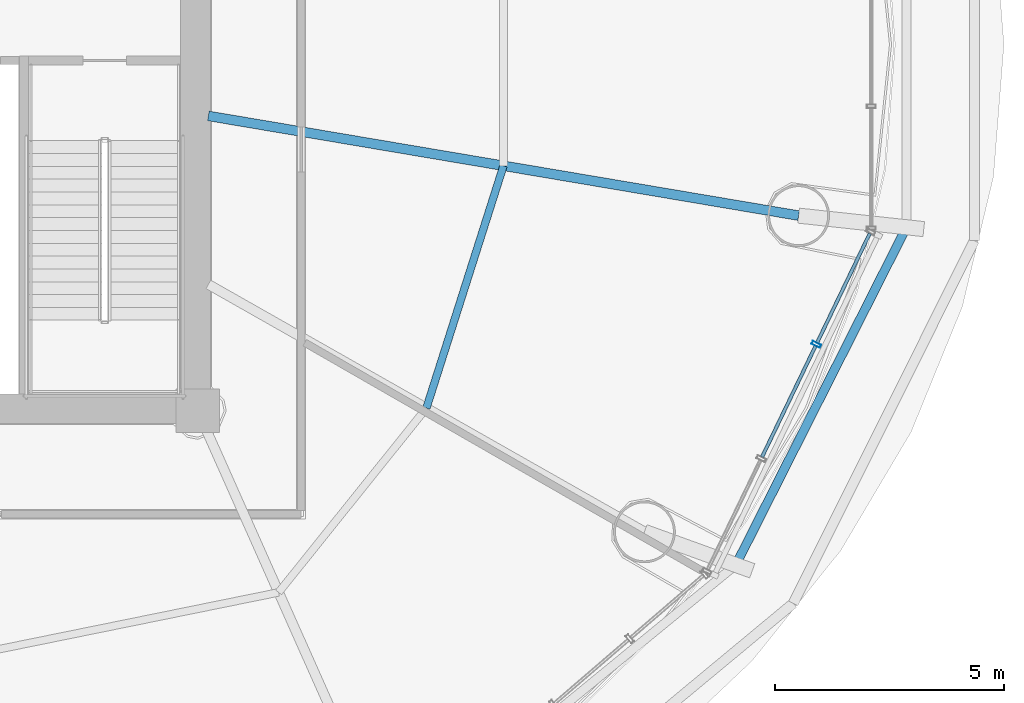
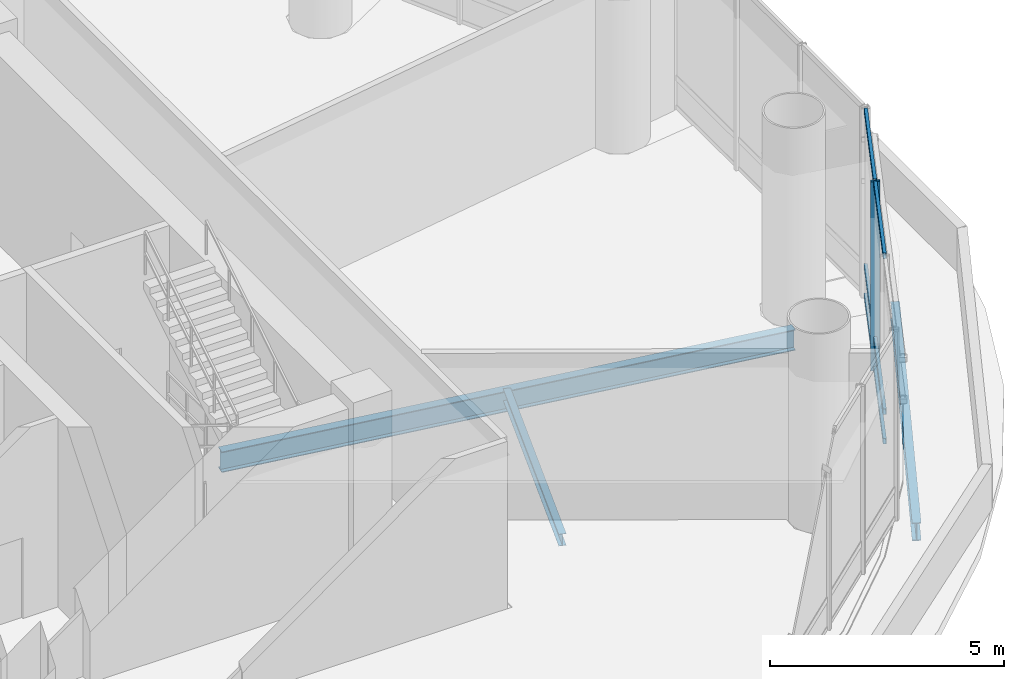
# One storey, part 11 of 29: 7 members, 3 beams, 1 element without a shape of its own.
"""IFC4 building model written with IfcOpenShell, lengths in metres."""

from ifc_helpers import new_model, si_unit, direction, frame, origin, origin_2d, place, context, subcontext, project, spatial, hollow_rectangle, i_section, extrude, source, transform, mapped, material, material_profile, profile_set, type_object, element, aggregate, save


model = new_model("IFC4")

# Units and contexts
model_context = context("Model", 3, precision=1e-05, world=origin(), true_north=direction((-0.2419218956, 0.970295726276)))
body_context = subcontext(model_context, "Body", "Model", "MODEL_VIEW")
ifc_project = project(units=[si_unit("LENGTHUNIT", "METRE"), si_unit("AREAUNIT", "SQUARE_METRE"), si_unit("VOLUMEUNIT", "CUBIC_METRE"), si_unit("PLANEANGLEUNIT", "RADIAN"), si_unit("MASSUNIT", "GRAM", prefix="KILO")], contexts=[model_context])

# Site, building, storey
site_placement = place(None, origin())
site = spatial("IfcSite", under=ifc_project, at=site_placement, CompositionType="ELEMENT")
building_placement = place(site_placement, origin())
building = spatial("IfcBuilding", under=site, at=building_placement, Name="Cobrevalo Terracotta Tower", CompositionType="ELEMENT")
storey_placement = place(building_placement, frame((0.0, 0.0, 130.199951171875)))
storey = spatial("IfcBuildingStorey", under=building, at=storey_placement, Name="L34", CompositionType="ELEMENT", Elevation=130.199951171875)

# Beams
ifc_material_1 = material(Name="Steel S355", Category="steel")
ifc_material_profile_1 = material_profile(ifc_material_1, i_section(OverallWidth=0.2109375, OverallDepth=0.5390625, WebThickness=0.01171875, FlangeThickness=0.018798828125, at=origin_2d()), Name="W 530x109")
ifc_profile_set_1 = profile_set([ifc_material_profile_1], Name="Steel S355")
beam_type_1 = type_object("IfcBeamType", Name="Structural Beam W 530x109 (Steel S355)", PredefinedType="BEAM", material=ifc_profile_set_1)
beam_1_placement = place(storey_placement, frame((60.11669921875, 23.06396484375, -0.719482421875), z_axis=(-0.986029024106, 0.166573598211, 0.0), x_axis=(-0.166573598211, -0.986029024106, 0.0)))
element("IfcBeam", 1, at=beam_1_placement, inside=storey, type_object=beam_type_1, Name="L34 radial floor girder 16", PredefinedType="BEAM", context=body_context, shape_type="SweptSolid", body=[
    extrude(i_section(OverallWidth=0.2109375, OverallDepth=0.5390625, WebThickness=0.01171875, FlangeThickness=0.018798828125, at=origin_2d()), origin(), (0.0, 0.0, 1.0), 13.0693359375),
])
ifc_material_profile_2 = material_profile(ifc_material_1, i_section(OverallWidth=0.1650390625, OverallDepth=0.31005859375, WebThickness=0.005859375, FlangeThickness=0.009765625, at=origin_2d()), Name="W 310x38.7")
ifc_profile_set_2 = profile_set([ifc_material_profile_2], Name="Steel S355")
beam_type_2 = type_object("IfcBeamType", Name="Structural Joist W 310x38.7 (Steel S355)", PredefinedType="JOIST", material=ifc_profile_set_2)
beam_2_placement = place(storey_placement, frame((51.98974609375, 18.86181640625, -0.60498046875), z_axis=(0.303243588226, 0.95291307379, 0.0), x_axis=(-0.95291307379, 0.303243588226, 0.0)))
element("IfcBeam", 2, at=beam_2_placement, inside=storey, type_object=beam_type_2, Name="L34 circumferential secondary floor joist 15", PredefinedType="JOIST", context=body_context, shape_type="SweptSolid", body=[
    extrude(i_section(OverallWidth=0.1650390625, OverallDepth=0.31005859375, WebThickness=0.005859375, FlangeThickness=0.009765625, at=origin_2d()), origin(), (0.0, 0.0, 1.0), 5.552001953125),
])
ifc_material_profile_3 = material_profile(ifc_material_1, i_section(OverallWidth=0.194091796875, OverallDepth=0.468994140625, WebThickness=0.011474609375, FlangeThickness=0.0205078125, at=origin_2d()), Name="W 460x106")
ifc_profile_set_3 = profile_set([ifc_material_profile_3], Name="Steel S355")
beam_type_3 = type_object("IfcBeamType", Name="Structural Spandrel W 460x106 (Steel S355)", PredefinedType="SPANDREL", material=ifc_profile_set_3)
beam_3_placement = place(storey_placement, frame((58.7451171875, 15.4384765625, -0.6845703125), z_axis=(0.451051982172, 0.892497680321, 0.0), x_axis=(-0.892497680321, 0.451051982172, 0.0)))
element("IfcBeam", 3, at=beam_3_placement, inside=storey, type_object=beam_type_3, Name="L34 perimeter ring spandrel 15", PredefinedType="SPANDREL", context=body_context, shape_type="SweptSolid", body=[
    extrude(i_section(OverallWidth=0.194091796875, OverallDepth=0.468994140625, WebThickness=0.011474609375, FlangeThickness=0.0205078125, at=origin_2d()), origin(), (0.0, 0.0, 1.0), 8.259765625),
])

# Curtain wall, members
ifc_material_2 = material(Name="Anodized aluminium", Category="aluminium")
curtain_wall_type = type_object("IfcCurtainWallType", Name="Double-height sky-lobby panoramic curtain wall CW-SK", PredefinedType="NOTDEFINED", material=ifc_material_2)
curtain_wall_placement = place(storey_placement, origin())
curtain_wall = element("IfcCurtainWall", 4, at=curtain_wall_placement, inside=storey, type_object=curtain_wall_type, Name="L34 curtain wall CW-SK-L34-S15", PredefinedType="NOTDEFINED")
ifc_material_profile_4 = material_profile(ifc_material_2, hollow_rectangle(XDim=0.074951171875, YDim=0.199951171875, WallThickness=0.0048828125, at=origin_2d()), Name="CWM 75x200")
ifc_profile_set_4 = profile_set([ifc_material_profile_4], Name="Anodized aluminium")
member_type_1 = type_object("IfcMemberType", Name="Lower/mid tower unitised mullion 75x200", PredefinedType="MULLION", material=ifc_profile_set_4)
shared_shape_1 = source(origin(), body_context, "Body", "SweptSolid", [
    extrude(hollow_rectangle(XDim=0.074951171875, YDim=0.199951171875, WallThickness=0.0048828125, at=origin_2d()), origin(), (0.0, 0.0, 1.0), 4.929931640625),
])
member_1_placement = place(storey_placement, frame((60.502685546875, 20.252197265625, 0.0), z_axis=(0.0, 0.0, 1.0), x_axis=(0.434209440271, 0.900811945957, 0.0)))
member_1 = element("IfcMember", 5, at=member_1_placement, type_object=member_type_1, Name="CW-SK-L34-S15 vertical mullion 03", PredefinedType="MULLION", context=body_context, shape_type="MappedRepresentation", body=[
    mapped(shared_shape_1, transform((0.0, 0.0, 0.0), scale=1.0)),
])
ifc_material_profile_5 = material_profile(ifc_material_2, hollow_rectangle(XDim=0.074951171875, YDim=0.14990234375, WallThickness=0.00439453125, at=origin_2d()), Name="CWT 75x150")
ifc_profile_set_5 = profile_set([ifc_material_profile_5], Name="Anodized aluminium")
member_type_2 = type_object("IfcMemberType", Name="Tower unitised aluminium transom 75x150", PredefinedType="USERDEFINED", material=ifc_profile_set_5)
shared_shape_2 = source(origin(), body_context, "Body", "SweptSolid", [
    extrude(hollow_rectangle(XDim=0.074951171875, YDim=0.14990234375, WallThickness=0.00439453125, at=origin_2d()), origin(), (0.0, 0.0, 1.0), 2.650634765625),
])
member_2_placement = place(storey_placement, frame((60.52001953125, 20.288330078125, 0.050048828125), z_axis=(0.434197756715, 0.900817577572, 0.0), x_axis=(-0.900817577572, 0.434197756715, 0.0)))
member_2 = element("IfcMember", 6, at=member_2_placement, type_object=member_type_2, Name="CW-SK-L34-S15 transom B03-T1", ObjectType="TRANSOM", PredefinedType="USERDEFINED", context=body_context, shape_type="MappedRepresentation", body=[
    mapped(shared_shape_2, transform((0.0, 0.0, 0.0), scale=1.0)),
])
member_3_placement = place(storey_placement, frame((60.52001953125, 20.288330078125, 0.820068359375), z_axis=(0.434197756715, 0.900817577572, 0.0), x_axis=(-0.900817577572, 0.434197756715, 0.0)))
member_3 = element("IfcMember", 7, at=member_3_placement, type_object=member_type_2, Name="CW-SK-L34-S15 transom B03-T2", ObjectType="TRANSOM", PredefinedType="USERDEFINED", context=body_context, shape_type="MappedRepresentation", body=[
    mapped(shared_shape_2, transform((0.0, 0.0, 0.0), scale=1.0)),
])
member_4_placement = place(storey_placement, frame((60.52001953125, 20.288330078125, 4.880126953125), z_axis=(0.434197756715, 0.900817577572, 0.0), x_axis=(-0.900817577572, 0.434197756715, 0.0)))
member_4 = element("IfcMember", 8, at=member_4_placement, type_object=member_type_2, Name="CW-SK-L34-S15 transom B03-T3", ObjectType="TRANSOM", PredefinedType="USERDEFINED", context=body_context, shape_type="MappedRepresentation", body=[
    mapped(shared_shape_2, transform((0.0, 0.0, 0.0), scale=1.0)),
])
shared_shape_3 = source(origin(), body_context, "Body", "SweptSolid", [
    extrude(hollow_rectangle(XDim=0.074951171875, YDim=0.14990234375, WallThickness=0.00439453125, at=origin_2d()), origin(), (0.0, 0.0, 1.0), 2.690673828125),
])
member_5_placement = place(storey_placement, frame((59.31689453125, 17.79248046875, 0.050048828125), z_axis=(0.434172972316, 0.900829523334, 0.0), x_axis=(-0.900829523334, 0.434172972316, 0.0)))
member_5 = element("IfcMember", 9, at=member_5_placement, type_object=member_type_2, Name="CW-SK-L34-S15 transom B02-T1", ObjectType="TRANSOM", PredefinedType="USERDEFINED", context=body_context, shape_type="MappedRepresentation", body=[
    mapped(shared_shape_3, transform((0.0, 0.0, 0.0), scale=1.0)),
])
member_6_placement = place(storey_placement, frame((59.31689453125, 17.79248046875, 0.820068359375), z_axis=(0.434172972316, 0.900829523334, 0.0), x_axis=(-0.900829523334, 0.434172972316, 0.0)))
member_6 = element("IfcMember", 10, at=member_6_placement, type_object=member_type_2, Name="CW-SK-L34-S15 transom B02-T2", ObjectType="TRANSOM", PredefinedType="USERDEFINED", context=body_context, shape_type="MappedRepresentation", body=[
    mapped(shared_shape_3, transform((0.0, 0.0, 0.0), scale=1.0)),
])
member_7_placement = place(storey_placement, frame((59.31689453125, 17.79248046875, 4.880126953125), z_axis=(0.434172972316, 0.900829523334, 0.0), x_axis=(-0.900829523334, 0.434172972316, 0.0)))
member_7 = element("IfcMember", 11, at=member_7_placement, type_object=member_type_2, Name="CW-SK-L34-S15 transom B02-T3", ObjectType="TRANSOM", PredefinedType="USERDEFINED", context=body_context, shape_type="MappedRepresentation", body=[
    mapped(shared_shape_3, transform((0.0, 0.0, 0.0), scale=1.0)),
])
aggregate(curtain_wall, [member_1, member_5, member_6, member_7, member_2, member_3, member_4])

save(model, "model.ifc")
